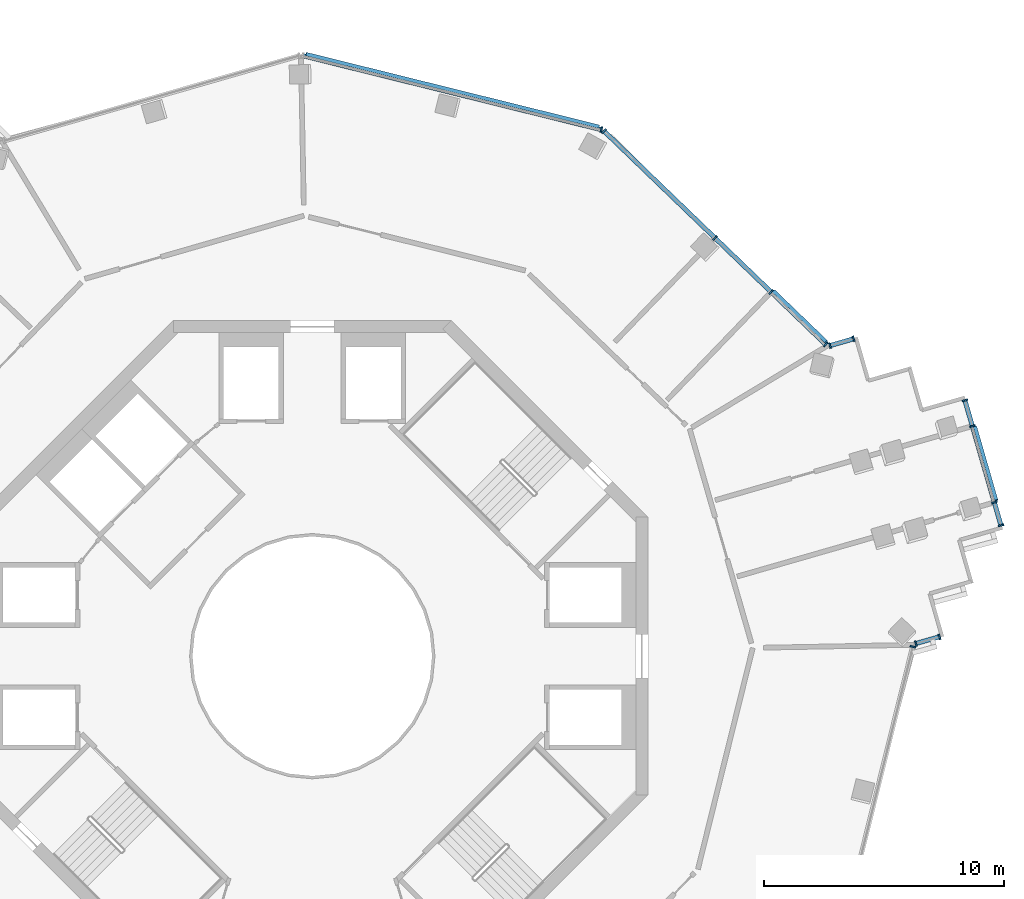
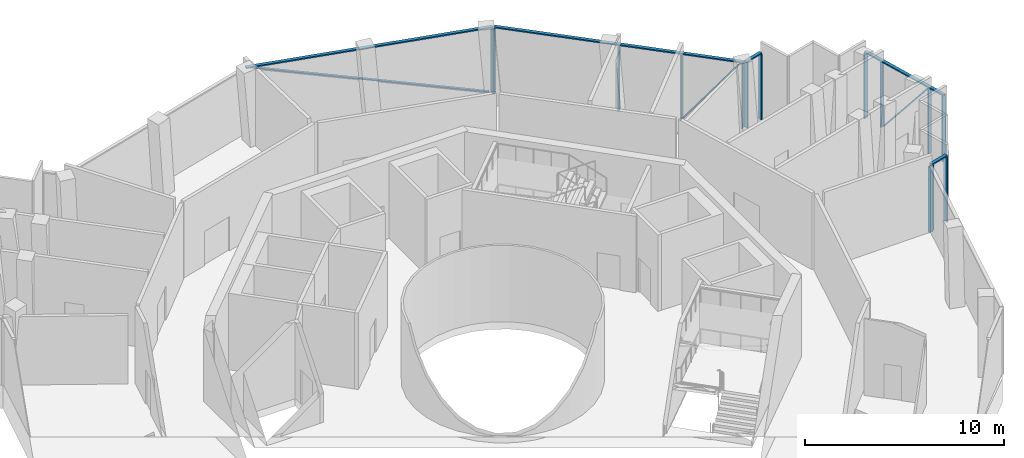
# One storey, part 5 of 17: 22 members, 6 elements without a shape of their own.
"""IFC4 building model written with IfcOpenShell, lengths in metres."""

from ifc_helpers import new_model, si_unit, direction, frame, origin, origin_2d, place, context, subcontext, project, spatial, rectangle, extrude, material, layer, layer_set, material_profile, profile_set, type_object, element, aggregate, save


model = new_model("IFC4")

# Units and contexts
model_context = context("Model", 3, precision=1e-05, world=origin(), true_north=direction((0.0, 1.0)))
body_context = subcontext(model_context, "Body", "Model", "MODEL_VIEW")
ifc_project = project(units=[si_unit("LENGTHUNIT", "METRE"), si_unit("AREAUNIT", "SQUARE_METRE"), si_unit("VOLUMEUNIT", "CUBIC_METRE"), si_unit("PLANEANGLEUNIT", "RADIAN"), si_unit("MASSUNIT", "GRAM", prefix="KILO")], contexts=[model_context])

# Site, building, storey
site_placement = place(None, origin())
site = spatial("IfcSite", under=ifc_project, at=site_placement, CompositionType="ELEMENT")
building_placement = place(site_placement, origin())
building = spatial("IfcBuilding", under=site, at=building_placement, Name="Verdalira Terraces Hotel", CompositionType="ELEMENT")
storey_placement = place(building_placement, frame((0.0, 0.0, 222.0)))
storey = spatial("IfcBuildingStorey", under=building, at=storey_placement, Name="L54", CompositionType="ELEMENT", Elevation=222.0)

# Curtain wall, member
ifc_material_1 = material(Name="Clear glass", Category="glass")
ifc_layer = layer(ifc_material_1, 0.239990234375)
ifc_layer_set = layer_set([ifc_layer], Name="CW5 curtain wall")
curtain_wall_type = type_object("IfcCurtainWallType", Name="CW5 curtain wall", PredefinedType="NOTDEFINED", material=ifc_layer_set)
curtain_wall_1_placement = place(storey_placement, origin())
curtain_wall_1 = element("IfcCurtainWall", 1, at=curtain_wall_1_placement, inside=storey, type_object=curtain_wall_type, Name="CW5 curtain wall L54 edge 27", PredefinedType="NOTDEFINED")
ifc_material_2 = material(Name="Terracotta frame", Category="masonry")
ifc_material_profile_1 = material_profile(ifc_material_2, rectangle(XDim=0.070068, YDim=0.23999, at=origin_2d()), Name="MU 70x240")
ifc_profile_set_1 = profile_set([ifc_material_profile_1], Name="Terracotta frame")
member_type_1 = type_object("IfcMemberType", Name="CW5 mullion 70x240", PredefinedType="MULLION", material=ifc_profile_set_1)
member_1_placement = place(storey_placement, frame((25.05957, 0.39624, 0.0), z_axis=(0.0, 0.0, 1.0), x_axis=(0.240566872, 0.970632567, 0.0)))
member_1 = element("IfcMember", 2, at=member_1_placement, type_object=member_type_1, Name="CW5 mullion", PredefinedType="MULLION", context=body_context, shape_type="SweptSolid", body=[
    extrude(rectangle(XDim=0.070068, YDim=0.23999, at=origin_2d()), origin(), (0.0, 0.0, 1.0), 4.014893),
])
aggregate(curtain_wall_1, [member_1])

# Curtain wall, members
curtain_wall_2_placement = place(storey_placement, origin())
curtain_wall_2 = element("IfcCurtainWall", 3, at=curtain_wall_2_placement, inside=storey, type_object=curtain_wall_type, Name="CW5 curtain wall L54 edge 28", PredefinedType="NOTDEFINED")
member_2_placement = place(storey_placement, frame((25.184814, 0.526367, 0.0), z_axis=(0.0, 0.0, 1.0), x_axis=(0.960875897, 0.276979261, 0.0)))
member_2 = element("IfcMember", 4, at=member_2_placement, type_object=member_type_1, Name="CW5 mullion", PredefinedType="MULLION", context=body_context, shape_type="SweptSolid", body=[
    extrude(rectangle(XDim=0.070068, YDim=0.23999, at=origin_2d()), origin(), (0.0, 0.0, 1.0), 4.014893),
])
member_3_placement = place(storey_placement, frame((26.171143, 0.810547, 0.0), z_axis=(0.0, 0.0, 1.0), x_axis=(0.960875897, 0.276979261, 0.0)))
member_3 = element("IfcMember", 5, at=member_3_placement, type_object=member_type_1, Name="CW5 mullion", PredefinedType="MULLION", context=body_context, shape_type="SweptSolid", body=[
    extrude(rectangle(XDim=0.070068, YDim=0.23999, at=origin_2d()), origin(), (0.0, 0.0, 1.0), 4.014893),
])

curtain_wall_3_placement = place(storey_placement, origin())
curtain_wall_3 = element("IfcCurtainWall", 6, at=curtain_wall_3_placement, inside=storey, type_object=curtain_wall_type, Name="CW5 curtain wall L54 edge 33", PredefinedType="NOTDEFINED")
member_4_placement = place(storey_placement, frame((28.739258, 5.45874, 0.0), z_axis=(0.0, 0.0, 1.0), x_axis=(-0.276979261, 0.960875897, 0.0)))
member_4 = element("IfcMember", 7, at=member_4_placement, type_object=member_type_1, Name="CW5 mullion", PredefinedType="MULLION", context=body_context, shape_type="SweptSolid", body=[
    extrude(rectangle(XDim=0.070068, YDim=0.23999, at=origin_2d()), origin(), (0.0, 0.0, 1.0), 4.014893),
])
member_5_placement = place(storey_placement, frame((28.462891, 6.41748, 0.0), z_axis=(0.0, 0.0, 1.0), x_axis=(-0.276979261, 0.960875897, 0.0)))
member_5 = element("IfcMember", 8, at=member_5_placement, type_object=member_type_1, Name="CW5 mullion", PredefinedType="MULLION", context=body_context, shape_type="SweptSolid", body=[
    extrude(rectangle(XDim=0.070068, YDim=0.23999, at=origin_2d()), origin(), (0.0, 0.0, 1.0), 4.014893),
])
member_6_placement = place(storey_placement, frame((27.544678, 9.602539, 0.0), z_axis=(0.0, 0.0, 1.0), x_axis=(-0.276979261, 0.960875897, 0.0)))
member_6 = element("IfcMember", 9, at=member_6_placement, type_object=member_type_1, Name="CW5 mullion", PredefinedType="MULLION", context=body_context, shape_type="SweptSolid", body=[
    extrude(rectangle(XDim=0.070068, YDim=0.23999, at=origin_2d()), origin(), (0.0, 0.0, 1.0), 4.014893),
])
member_7_placement = place(storey_placement, frame((27.235352, 10.67627, 0.0), z_axis=(0.0, 0.0, 1.0), x_axis=(-0.276979261, 0.960875897, 0.0)))
member_7 = element("IfcMember", 10, at=member_7_placement, type_object=member_type_1, Name="CW5 mullion", PredefinedType="MULLION", context=body_context, shape_type="SweptSolid", body=[
    extrude(rectangle(XDim=0.070068, YDim=0.23999, at=origin_2d()), origin(), (0.0, 0.0, 1.0), 4.014893),
])

curtain_wall_4_placement = place(storey_placement, origin())
curtain_wall_4 = element("IfcCurtainWall", 11, at=curtain_wall_4_placement, inside=storey, type_object=curtain_wall_type, Name="CW5 curtain wall L54 edge 38", PredefinedType="NOTDEFINED")
member_8_placement = place(storey_placement, frame((22.587158, 13.244385, 0.0), z_axis=(0.0, 0.0, 1.0), x_axis=(-0.960875897, -0.276979261, 0.0)))
member_8 = element("IfcMember", 12, at=member_8_placement, type_object=member_type_1, Name="CW5 mullion", PredefinedType="MULLION", context=body_context, shape_type="SweptSolid", body=[
    extrude(rectangle(XDim=0.070068, YDim=0.23999, at=origin_2d()), origin(), (0.0, 0.0, 1.0), 4.014893),
])
member_9_placement = place(storey_placement, frame((21.60083, 12.959961, 0.0), z_axis=(0.0, 0.0, 1.0), x_axis=(-0.960875897, -0.276979261, 0.0)))
member_9 = element("IfcMember", 13, at=member_9_placement, type_object=member_type_1, Name="CW5 mullion", PredefinedType="MULLION", context=body_context, shape_type="SweptSolid", body=[
    extrude(rectangle(XDim=0.070068, YDim=0.23999, at=origin_2d()), origin(), (0.0, 0.0, 1.0), 4.014893),
])

curtain_wall_5_placement = place(storey_placement, origin())
curtain_wall_5 = element("IfcCurtainWall", 14, at=curtain_wall_5_placement, inside=storey, type_object=curtain_wall_type, Name="CW5 curtain wall L54 edge 39", PredefinedType="NOTDEFINED")
member_10_placement = place(storey_placement, frame((21.425537, 13.003418, 0.0), z_axis=(0.0, 0.0, 1.0), x_axis=(-0.720309025, 0.693653306, 0.0)))
member_10 = element("IfcMember", 15, at=member_10_placement, type_object=member_type_1, Name="CW5 mullion", PredefinedType="MULLION", context=body_context, shape_type="SweptSolid", body=[
    extrude(rectangle(XDim=0.070068, YDim=0.23999, at=origin_2d()), origin(), (0.0, 0.0, 1.0), 4.014893),
])
member_11_placement = place(storey_placement, frame((19.146973, 15.19751, 0.0), z_axis=(0.0, 0.0, 1.0), x_axis=(-0.720309025, 0.693653306, 0.0)))
member_11 = element("IfcMember", 16, at=member_11_placement, type_object=member_type_1, Name="CW5 mullion", PredefinedType="MULLION", context=body_context, shape_type="SweptSolid", body=[
    extrude(rectangle(XDim=0.070068, YDim=0.23999, at=origin_2d()), origin(), (0.0, 0.0, 1.0), 4.014893),
])
member_12_placement = place(storey_placement, frame((16.806152, 17.451904, 0.0), z_axis=(0.0, 0.0, 1.0), x_axis=(-0.720309025, 0.693653306, 0.0)))
member_12 = element("IfcMember", 17, at=member_12_placement, type_object=member_type_1, Name="CW5 mullion", PredefinedType="MULLION", context=body_context, shape_type="SweptSolid", body=[
    extrude(rectangle(XDim=0.070068, YDim=0.23999, at=origin_2d()), origin(), (0.0, 0.0, 1.0), 4.014893),
])
member_13_placement = place(storey_placement, frame((12.178223, 21.908447, 0.0), z_axis=(0.0, 0.0, 1.0), x_axis=(-0.720309025, 0.693653306, 0.0)))
member_13 = element("IfcMember", 18, at=member_13_placement, type_object=member_type_1, Name="CW5 mullion", PredefinedType="MULLION", context=body_context, shape_type="SweptSolid", body=[
    extrude(rectangle(XDim=0.070068, YDim=0.23999, at=origin_2d()), origin(), (0.0, 0.0, 1.0), 4.014893),
])

# Curtain wall, member
curtain_wall_6_placement = place(storey_placement, origin())
curtain_wall_6 = element("IfcCurtainWall", 19, at=curtain_wall_6_placement, inside=storey, type_object=curtain_wall_type, Name="CW5 curtain wall L54 edge 40", PredefinedType="NOTDEFINED")
member_14_placement = place(storey_placement, frame((12.064697, 21.971191, 0.0), z_axis=(0.0, 0.0, 1.0), x_axis=(-0.970632567, 0.240566872, 0.0)))
member_14 = element("IfcMember", 20, at=member_14_placement, type_object=member_type_1, Name="CW5 mullion", PredefinedType="MULLION", context=body_context, shape_type="SweptSolid", body=[
    extrude(rectangle(XDim=0.070068, YDim=0.23999, at=origin_2d()), origin(), (0.0, 0.0, 1.0), 4.014893),
])

# Member
ifc_material_3 = material(Name="Terracotta frame", Category="masonry")
ifc_material_profile_2 = material_profile(ifc_material_3, rectangle(XDim=0.189941, YDim=0.074951, at=origin_2d()), Name="TR 75x190")
ifc_profile_set_2 = profile_set([ifc_material_profile_2], Name="Terracotta frame")
member_type_2 = type_object("IfcMemberType", Name="CW5 transom 75x190", PredefinedType="USERDEFINED", material=ifc_profile_set_2)
member_15_placement = place(storey_placement, frame((25.151123, 0.516602, 4.05249), z_axis=(0.960882857, 0.276955114, 0.0), x_axis=(-0.276955114, 0.960882857, 0.0)))
member_15 = element("IfcMember", 21, at=member_15_placement, type_object=member_type_2, Name="CW5 transom", ObjectType="TRANSOM", PredefinedType="USERDEFINED", context=body_context, shape_type="SweptSolid", body=[
    extrude(rectangle(XDim=0.189941, YDim=0.074951, at=origin_2d()), origin(), (0.0, 0.0, 1.0), 1.09668),
])

aggregate(curtain_wall_2, [member_2, member_3, member_15])

member_16_placement = place(storey_placement, frame((28.749023, 5.425049, 4.05249), z_axis=(-0.276983336, 0.960874722, 0.0), x_axis=(-0.960874722, -0.276983336, 0.0)))
member_16 = element("IfcMember", 22, at=member_16_placement, type_object=member_type_2, Name="CW5 transom", ObjectType="TRANSOM", PredefinedType="USERDEFINED", context=body_context, shape_type="SweptSolid", body=[
    extrude(rectangle(XDim=0.189941, YDim=0.074951, at=origin_2d()), origin(), (0.0, 0.0, 1.0), 5.5),
])

member_17_placement = place(storey_placement, frame((22.620605, 13.253906, 4.05249), z_axis=(-0.960865775, -0.277014374, 0.0), x_axis=(0.277014374, -0.960865775, 0.0)))
member_17 = element("IfcMember", 23, at=member_17_placement, type_object=member_type_2, Name="CW5 transom", ObjectType="TRANSOM", PredefinedType="USERDEFINED", context=body_context, shape_type="SweptSolid", body=[
    extrude(rectangle(XDim=0.189941, YDim=0.074951, at=origin_2d()), origin(), (0.0, 0.0, 1.0), 1.096436),
])

aggregate(curtain_wall_4, [member_8, member_9, member_17])

member_18_placement = place(storey_placement, frame((21.450684, 12.979248, 4.05249), z_axis=(-0.720306213, 0.693656226, 0.0), x_axis=(-0.693656226, -0.720306213, 0.0)))
member_18 = element("IfcMember", 24, at=member_18_placement, type_object=member_type_2, Name="CW5 transom", ObjectType="TRANSOM", PredefinedType="USERDEFINED", context=body_context, shape_type="SweptSolid", body=[
    extrude(rectangle(XDim=0.189941, YDim=0.074951, at=origin_2d()), origin(), (0.0, 0.0, 1.0), 12.907959),
])

member_19_placement = place(storey_placement, frame((12.098633, 21.962891, 4.05249), z_axis=(-0.970635134, 0.240556512, 0.0), x_axis=(-0.240556512, -0.970635134, 0.0)))
member_19 = element("IfcMember", 25, at=member_19_placement, type_object=member_type_2, Name="CW5 transom", ObjectType="TRANSOM", PredefinedType="USERDEFINED", context=body_context, shape_type="SweptSolid", body=[
    extrude(rectangle(XDim=0.189941, YDim=0.074951, at=origin_2d()), origin(), (0.0, 0.0, 1.0), 12.919678),
])

ifc_material_4 = material(Name="Terracotta frame", Category="masonry")
ifc_material_profile_3 = material_profile(ifc_material_4, rectangle(XDim=0.149902, YDim=0.060059, at=origin_2d()), Name="GB 60x150")
ifc_profile_set_3 = profile_set([ifc_material_profile_3], Name="Terracotta frame")
member_type_3 = type_object("IfcMemberType", Name="Diagonal glazing bar 60x150", PredefinedType="USERDEFINED", material=ifc_profile_set_3)
member_20_placement = place(storey_placement, frame((28.539551, 6.501709, 3.984619), z_axis=(-0.174079393, 0.603971456, -0.777762718), x_axis=(-0.960884214, -0.276950407, 0.0)))
member_20 = element("IfcMember", 26, at=member_20_placement, type_object=member_type_3, Name="Diagonal glazing bar", ObjectType="GLAZING BAR", PredefinedType="USERDEFINED", context=body_context, shape_type="SweptSolid", body=[
    extrude(rectangle(XDim=0.149902, YDim=0.060059, at=origin_2d()), origin(), (0.0, 0.0, 1.0), 5.083984),
])

aggregate(curtain_wall_3, [member_4, member_5, member_6, member_7, member_16, member_20])

member_21_placement = place(storey_placement, frame((21.449463, 13.11499, 3.982666), z_axis=(-0.439575393, 0.42332021, -0.792195351), x_axis=(-0.693663272, -0.720299428, 0.0)))
member_21 = element("IfcMember", 27, at=member_21_placement, type_object=member_type_3, Name="Diagonal glazing bar", ObjectType="GLAZING BAR", PredefinedType="USERDEFINED", context=body_context, shape_type="SweptSolid", body=[
    extrude(rectangle(XDim=0.149902, YDim=0.060059, at=origin_2d()), origin(), (0.0, 0.0, 1.0), 4.986328),
])

aggregate(curtain_wall_5, [member_10, member_11, member_12, member_13, member_18, member_21])

member_22_placement = place(storey_placement, frame((11.963867, 22.096191, 0.029297), z_axis=(-0.926010047, 0.229500463, 0.299724756), x_axis=(-0.240560038, -0.970634261, 0.0)))
member_22 = element("IfcMember", 28, at=member_22_placement, type_object=member_type_3, Name="Diagonal glazing bar", ObjectType="GLAZING BAR", PredefinedType="USERDEFINED", context=body_context, shape_type="SweptSolid", body=[
    extrude(rectangle(XDim=0.149902, YDim=0.060059, at=origin_2d()), origin(), (0.0, 0.0, 1.0), 13.200684),
])

aggregate(curtain_wall_6, [member_14, member_19, member_22])

save(model, "model.ifc")
